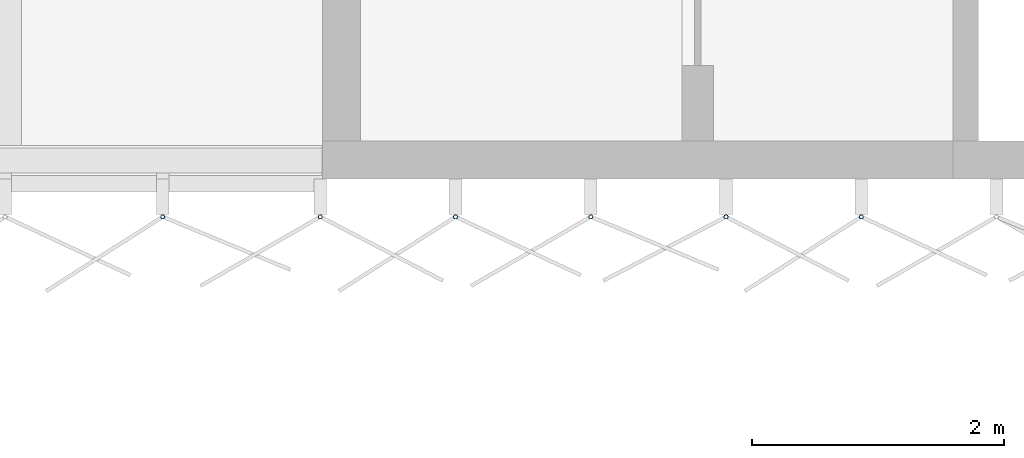
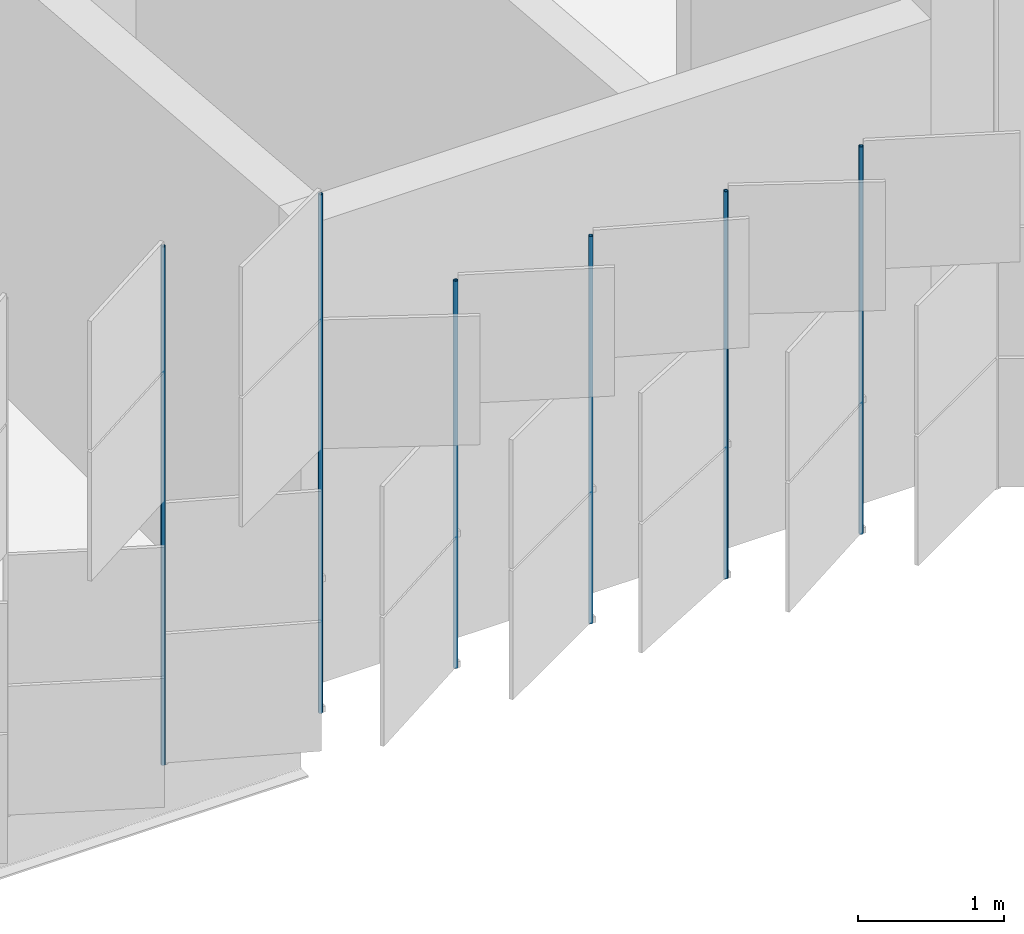
# One storey, part 141 of 483: 6 discrete accessories.
"""IFC4 building model written with IfcOpenShell, lengths in metres."""

from ifc_helpers import new_model, si_unit, direction, frame, origin, origin_2d, place, context, subcontext, project, spatial, hollow_circle, extrude, material, material_profile, profile_set, type_object, element, save


model = new_model("IFC4")

# Units and contexts
model_context = context("Model", 3, precision=1e-05, world=origin(), true_north=direction((0.0, 1.0)))
body_context = subcontext(model_context, "Body", "Model", "MODEL_VIEW")
ifc_project = project(units=[si_unit("LENGTHUNIT", "METRE"), si_unit("AREAUNIT", "SQUARE_METRE"), si_unit("VOLUMEUNIT", "CUBIC_METRE"), si_unit("PLANEANGLEUNIT", "RADIAN"), si_unit("MASSUNIT", "GRAM", prefix="KILO")], contexts=[model_context])

# Site, building, storey
site_placement = place(None, origin())
site = spatial("IfcSite", under=ifc_project, at=site_placement, CompositionType="ELEMENT")
building_placement = place(site_placement, origin())
building = spatial("IfcBuilding", under=site, at=building_placement, Name="Parallax Yard Mobility Hub", CompositionType="ELEMENT")
storey_placement = place(building_placement, frame((0.0, 0.0, 13.199951171875)))
storey = spatial("IfcBuildingStorey", under=building, at=storey_placement, Name="L04", CompositionType="ELEMENT", Elevation=13.199951171875)

# Discrete accessories
ifc_material = material(Name="Steel ASTM A500 Gr C, hot-dip galvanised", Category="steel")
ifc_material_profile = material_profile(ifc_material, hollow_circle(Radius=0.016845703125, WallThickness=0.003173828125, at=origin_2d()), Name="CHS 33.7x3.2")
ifc_profile_set = profile_set([ifc_material_profile], Name="Steel ASTM A500 Gr C, hot-dip galvanised")
discrete_accessory_type = type_object("IfcDiscreteAccessoryType", Name="Hinge post CHS 33.7x3.2", PredefinedType="BRACKET", material=ifc_profile_set)
for number, where, z_axis, x_axis, name in (
    (1, (66.233642578125, 112.199951171875, 0.0), (0.0, 0.0, 1.0), (1.0, 0.0, 0.0), "Hinge post bay 5.6 level L04"),
    (2, (67.48291015625, 112.199951171875, 0.0), (0.0, 0.0, 1.0), (1.0, 0.0, 0.0), "Hinge post bay 6.1 level L04"),
):
    element("IfcDiscreteAccessory", number, at=place(storey_placement, frame(where, z_axis=z_axis, x_axis=x_axis)), inside=storey, type_object=discrete_accessory_type, Name=name, PredefinedType="BRACKET", context=body_context, shape_type="SweptSolid", body=[
        extrude(hollow_circle(Radius=0.016845703125, WallThickness=0.003173828125, at=origin_2d()), origin(), (0.0, 0.0, 1.0), 4.35009765625),
    ])
for number, where, z_axis, x_axis, name in (
    (3, (68.55517578125, 112.199951171875, 0.0), (0.0, 0.0, 1.0), (1.0, 0.0, 0.0), "Hinge post bay 6.2 level L04"),
    (4, (69.627197265625, 112.199951171875, 0.0), (0.0, 0.0, 1.0), (1.0, 0.0, 0.0), "Hinge post bay 6.3 level L04"),
    (5, (70.699462890625, 112.199951171875, 0.0), (0.0, 0.0, 1.0), (1.0, 0.0, 0.0), "Hinge post bay 6.4 level L04"),
    (6, (71.771728515625, 112.199951171875, 0.0), (0.0, 0.0, 1.0), (1.0, 0.0, 0.0), "Hinge post bay 6.5 level L04"),
):
    element("IfcDiscreteAccessory", number, at=place(storey_placement, frame(where, z_axis=z_axis, x_axis=x_axis)), inside=storey, type_object=discrete_accessory_type, Name=name, PredefinedType="BRACKET", context=body_context, shape_type="SweptSolid", body=[
        extrude(hollow_circle(Radius=0.016845703125, WallThickness=0.003173828125, at=origin_2d()), origin(), (0.0, 0.0, 1.0), 3.25),
    ])

save(model, "model.ifc")
